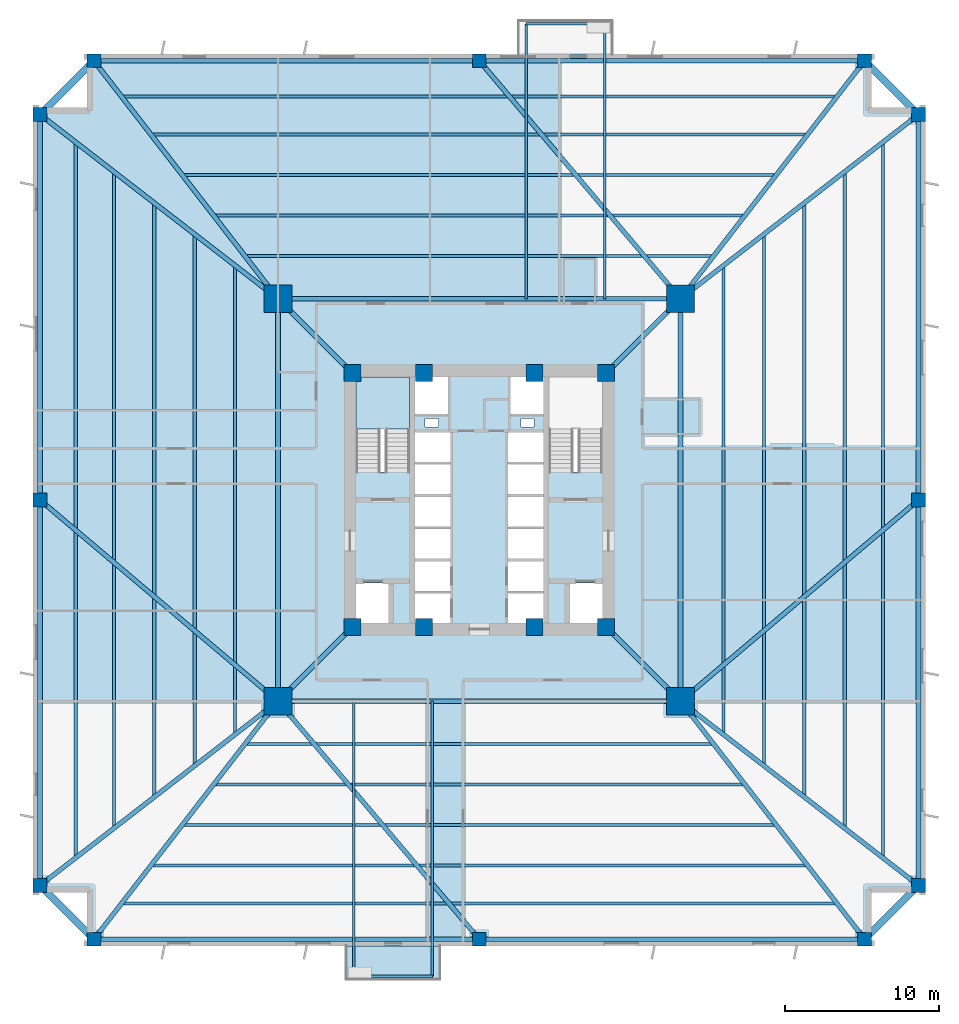
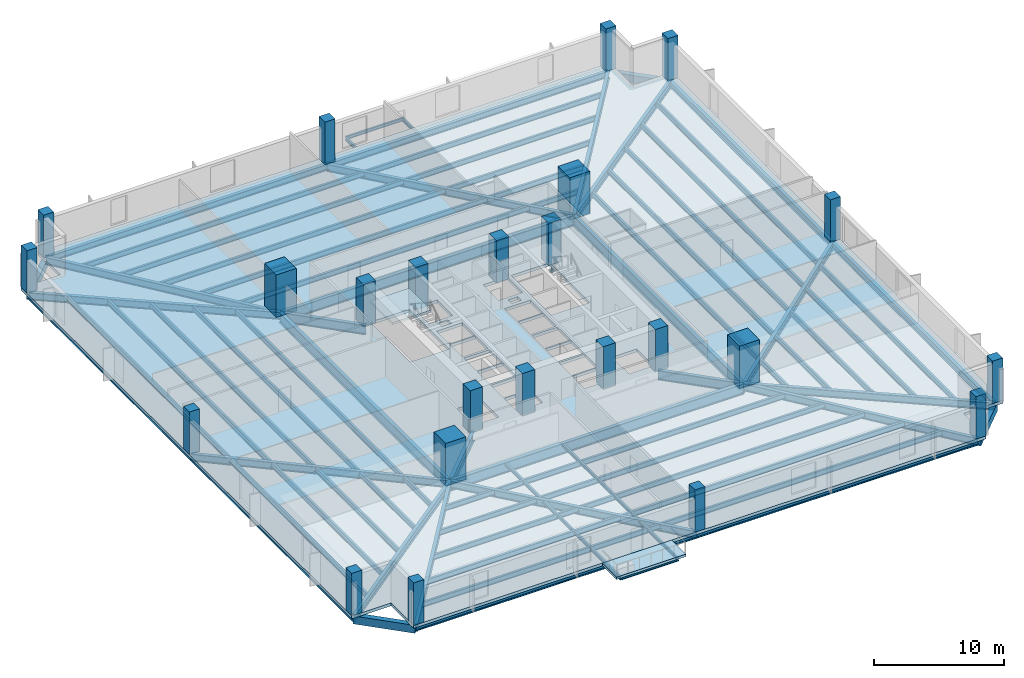
# One storey, part 1 of 8: 58 beams, 24 columns, 3 slabs, 1 element without a shape of its own.
"""IFC4 building model written with IfcOpenShell, lengths in metres."""

import ifcopenshell
import ifcopenshell.guid

model = None  # the IFC model being written
_history = None  # IfcOwnerHistory: only IFC2X3 demands one
_inside = {}  # id of a spatial element -> (the spatial element, [elements in it])
_under = {}  # id of a project, library or spatial element -> (it, [spatial elements below it])
_declared = {}  # id of a project -> (the project, [libraries it declares])
_typed = {}  # id of a type object -> (the type object, [elements of that type])
_made_of = {}  # id of a material, layer set ... -> (it, [elements and type objects made of it])


def new_model(schema):
    """Start an empty IFC model of exactly this schema.

    Asked for "IFC4X3", IfcOpenShell would pick the latest addendum, in which some entities
    have other attributes; the version numbers below select the first issue.
    IFC2X3 requires an IfcOwnerHistory on every rooted entity: one is made here for all.
    """
    global model, _history
    if schema == "IFC4X3":
        model = ifcopenshell.file(schema_version=(4, 3, 0, 0))
    else:
        model = ifcopenshell.file(schema=schema)
    _inside.clear()
    _under.clear()
    _declared.clear()
    _typed.clear()
    _made_of.clear()
    _history = None
    if model.schema == "IFC2X3":
        org = make("IfcOrganization", Name="unknown")
        user = make(
            "IfcPersonAndOrganization",
            ThePerson=make("IfcPerson", FamilyName="unknown"),
            TheOrganization=org,
        )
        app = make(
            "IfcApplication",
            ApplicationDeveloper=org,
            Version="unknown",
            ApplicationFullName="unknown",
            ApplicationIdentifier="unknown",
        )
        _history = make(
            "IfcOwnerHistory",
            OwningUser=user,
            OwningApplication=app,
            ChangeAction="ADDED",
            CreationDate=0,
        )
    return model


def make(cls, **values):
    """One entity of the class cls with the attributes given. An attribute that is None is left unset."""
    return model.create_entity(
        cls, **{name: value for name, value in values.items() if value is not None}
    )


def rooted(cls, **values):
    """An entity with a GlobalId (a new one), such as an element, a storey or a relation."""
    return make(cls, GlobalId=ifcopenshell.guid.new(), OwnerHistory=_history, **values)


def si_unit(unit_type, name, prefix=None):
    """IfcSIUnit, for example si_unit("LENGTHUNIT", "METRE", prefix="MILLI")."""
    return make("IfcSIUnit", UnitType=unit_type, Prefix=prefix, Name=name)


def assignment(units):
    """IfcUnitAssignment: the units of a project."""
    return None if units is None else make("IfcUnitAssignment", Units=units)


def point(xyz):
    """IfcCartesianPoint."""
    return None if xyz is None else make("IfcCartesianPoint", Coordinates=xyz)


def direction(xyz):
    """IfcDirection."""
    return None if xyz is None else make("IfcDirection", DirectionRatios=xyz)


def frame(location, z_axis=None, x_axis=None):
    """IfcAxis2Placement3D, a coordinate frame: its origin and axes. An axis left out is left unset."""
    return make(
        "IfcAxis2Placement3D",
        Location=point(location),
        Axis=direction(z_axis),
        RefDirection=direction(x_axis),
    )


def frame_2d(location, x_axis=None):
    """IfcAxis2Placement2D, a coordinate frame in the plane: its origin and x axis."""
    return make(
        "IfcAxis2Placement2D", Location=point(location), RefDirection=direction(x_axis)
    )


def origin():
    """The frame at (0, 0, 0) with its axes left unset."""
    return frame((0.0, 0.0, 0.0))


def origin_2d():
    """The frame at (0, 0) in the plane with its x axis left unset."""
    return frame_2d((0.0, 0.0))


def place(relative_to, where):
    """IfcLocalPlacement: puts the frame where relative to a parent placement (None: the world)."""
    return make(
        "IfcLocalPlacement", PlacementRelTo=relative_to, RelativePlacement=where
    )


def context(
    kind, dimensions, precision=None, world=None, true_north=None, identifier=None
):
    """IfcGeometricRepresentationContext, for example the 3D "Model" context."""
    return make(
        "IfcGeometricRepresentationContext",
        ContextIdentifier=identifier,
        ContextType=kind,
        CoordinateSpaceDimension=dimensions,
        Precision=precision,
        WorldCoordinateSystem=world,
        TrueNorth=true_north,
    )


def subcontext(parent, identifier, kind, view, scale=None):
    """IfcGeometricRepresentationSubContext, for example "Body" below "Model"."""
    return make(
        "IfcGeometricRepresentationSubContext",
        ContextIdentifier=identifier,
        ContextType=kind,
        ParentContext=parent,
        TargetScale=scale,
        TargetView=view,
    )


def project(units=None, contexts=None):
    """IfcProject with its units and contexts."""
    return rooted(
        "IfcProject",
        Name="project",
        RepresentationContexts=contexts,
        UnitsInContext=assignment(units),
    )


def spatial(cls, under=None, at=None, **own):
    """A site, building, storey or space (cls), placed at a placement, below another one or the project."""
    s = rooted(cls, ObjectPlacement=at, **own)
    if under is not None:
        _under.setdefault(under.id(), (under, []))[1].append(s)
    return s


def polyline(points):
    """IfcPolyline through the points."""
    return make("IfcPolyline", Points=[point(p) for p in points])


def profile(cls, at=None, kind="AREA", **sizes):
    """A parametric profile (cls). Its sizes go by their IFC names, for example OverallWidth=200.0."""
    return make(cls, ProfileType=kind, Position=at, **sizes)


def rectangle(**sizes):
    """IfcRectangleProfileDef."""
    return profile("IfcRectangleProfileDef", **sizes)


def i_section(**sizes):
    """IfcIShapeProfileDef."""
    return profile("IfcIShapeProfileDef", **sizes)


def outline(outer, holes=None, kind="AREA"):
    """IfcArbitraryClosedProfileDef: a profile drawn as a closed curve; with holes, ...WithVoids."""
    if holes is None:
        return make("IfcArbitraryClosedProfileDef", ProfileType=kind, OuterCurve=outer)
    return make(
        "IfcArbitraryProfileDefWithVoids",
        ProfileType=kind,
        OuterCurve=outer,
        InnerCurves=holes,
    )


def extrude(swept, where, along, depth):
    """IfcExtrudedAreaSolid: the profile swept, set in the frame where, extruded along a direction by depth."""
    return make(
        "IfcExtrudedAreaSolid",
        SweptArea=swept,
        Position=where,
        ExtrudedDirection=direction(along),
        Depth=depth,
    )


def shape(context_of_items, identifier, shape_type, items):
    """IfcShapeRepresentation: the items that make up one representation, for example the "Body"."""
    return make(
        "IfcShapeRepresentation",
        ContextOfItems=context_of_items,
        RepresentationIdentifier=identifier,
        RepresentationType=shape_type,
        Items=items,
    )


def source(mapping_origin, context_of_items, identifier, shape_type, items):
    """IfcRepresentationMap: a shape defined once, which mapped items show again and again."""
    return make(
        "IfcRepresentationMap",
        MappingOrigin=mapping_origin,
        MappedRepresentation=shape(context_of_items, identifier, shape_type, items),
    )


def transform(
    local_origin,
    x_axis=None,
    y_axis=None,
    z_axis=None,
    scale=None,
    scale2=None,
    scale3=None,
    uniform=True,
):
    """IfcCartesianTransformationOperator3D, or its non-uniform kind. x_axis, y_axis, z_axis: its Axis1, 2, 3."""
    if uniform:
        return make(
            "IfcCartesianTransformationOperator3D",
            Axis1=direction(x_axis),
            Axis2=direction(y_axis),
            LocalOrigin=point(local_origin),
            Scale=scale,
            Axis3=direction(z_axis),
        )
    return make(
        "IfcCartesianTransformationOperator3DnonUniform",
        Axis1=direction(x_axis),
        Axis2=direction(y_axis),
        LocalOrigin=point(local_origin),
        Scale=scale,
        Axis3=direction(z_axis),
        Scale2=scale2,
        Scale3=scale3,
    )


def mapped(mapping_source, mapping_target):
    """IfcMappedItem: shows the shape of a source again, moved by a transform."""
    return make(
        "IfcMappedItem", MappingSource=mapping_source, MappingTarget=mapping_target
    )


def material(Name=None, Category=None):
    """IfcMaterial."""
    return make("IfcMaterial", Name=Name, Category=Category)


def layer(
    of_material, thickness, ventilated=None, Name=None, Category=None, Priority=None
):
    """IfcMaterialLayer: one layer of a wall or slab, of a material (None: an air gap)."""
    return make(
        "IfcMaterialLayer",
        Material=of_material,
        LayerThickness=thickness,
        IsVentilated=ventilated,
        Name=Name,
        Category=Category,
        Priority=Priority,
    )


def layer_set(layers, Name=None):
    """IfcMaterialLayerSet."""
    return make("IfcMaterialLayerSet", MaterialLayers=layers, LayerSetName=Name)


def material_profile(
    of_material, cross_section, Name=None, Category=None, Priority=None
):
    """IfcMaterialProfile: a cross section and its material."""
    return make(
        "IfcMaterialProfile",
        Name=Name,
        Material=of_material,
        Profile=cross_section,
        Priority=Priority,
        Category=Category,
    )


def profile_set(profiles, Name=None, composite=None):
    """IfcMaterialProfileSet."""
    return make(
        "IfcMaterialProfileSet",
        Name=Name,
        MaterialProfiles=profiles,
        CompositeProfile=composite,
    )


def made_of(thing, what):
    """Note that an element or type object is made of a material, layer set ...; save() writes the relation."""
    if what is not None:
        _made_of.setdefault(what.id(), (what, []))[1].append(thing)
    return thing


def type_object(cls, material=None, **own):
    """A type object (cls), such as IfcWallType, which elements share."""
    return made_of(rooted(cls, **own), material)


def element(
    cls,
    number,
    at=None,
    inside=None,
    cuts=None,
    type_object=None,
    material=None,
    context=None,
    identifier="Body",
    shape_type=None,
    held_by="IfcProductDefinitionShape",
    body=None,
    shapes=None,
    **own,
):
    """One element of the class cls, such as IfcWall. Its Tag is "e" and its number.

    at: its placement. inside: the storey or other place that contains it. cuts: it is an
    opening in that element (IfcRelVoidsElement). A single representation is given by context,
    identifier, shape_type and body (its items); several are given by shapes. held_by: the class
    of the entity that holds the representations. save() writes the other relations.
    """
    e = rooted(cls, Tag="e%d" % number, ObjectPlacement=at, **own)
    if body is not None:
        shapes = [shape(context, identifier, shape_type, body)]
    if shapes is not None:
        e.Representation = make(held_by, Representations=shapes)
    if inside is not None:
        _inside.setdefault(inside.id(), (inside, []))[1].append(e)
    if cuts is not None:
        rooted(
            "IfcRelVoidsElement", RelatingBuildingElement=cuts, RelatedOpeningElement=e
        )
    if type_object is not None:
        _typed.setdefault(type_object.id(), (type_object, []))[1].append(e)
    return made_of(e, material)


def aggregate(whole, parts):
    """IfcRelAggregates: a whole, such as a stair, and the parts it consists of."""
    return rooted("IfcRelAggregates", RelatingObject=whole, RelatedObjects=parts)


def save(model, path):
    """Write the relations noted so far, then the file.

    IfcRelAggregates (storeys below a building ...), IfcRelContainedInSpatialStructure (elements
    in a storey), IfcRelDefinesByType, IfcRelAssociatesMaterial and IfcRelDeclares: one each for
    every whole, place, type object, material and project.
    """
    for whole, parts in _under.values():
        aggregate(whole, parts)
    for where, things in _inside.values():
        rooted(
            "IfcRelContainedInSpatialStructure",
            RelatedElements=things,
            RelatingStructure=where,
        )
    for kind, things in _typed.values():
        rooted("IfcRelDefinesByType", RelatedObjects=things, RelatingType=kind)
    for what, things in _made_of.values():
        rooted("IfcRelAssociatesMaterial", RelatedObjects=things, RelatingMaterial=what)
    for by, libraries in _declared.values():
        rooted("IfcRelDeclares", RelatingContext=by, RelatedDefinitions=libraries)
    model.write(path)


model = new_model("IFC4")

# Units and contexts
model_context = context("Model", 3, precision=1e-05, world=origin(), true_north=direction((0.0, 1.0)))
body_context = subcontext(model_context, "Body", "Model", "MODEL_VIEW")
ifc_project = project(units=[si_unit("LENGTHUNIT", "METRE"), si_unit("AREAUNIT", "SQUARE_METRE"), si_unit("VOLUMEUNIT", "CUBIC_METRE"), si_unit("PLANEANGLEUNIT", "RADIAN"), si_unit("MASSUNIT", "GRAM", prefix="KILO"), si_unit("THERMODYNAMICTEMPERATUREUNIT", "KELVIN")], contexts=[model_context])

# Site, building, storey
site_placement = place(None, origin())
site = spatial("IfcSite", under=ifc_project, at=site_placement, CompositionType="ELEMENT")
building_placement = place(site_placement, origin())
building = spatial("IfcBuilding", under=site, at=building_placement, Name="Kosmvard Interchange Tower", CompositionType="ELEMENT")
storey_placement = place(building_placement, frame((0.0, 0.0, 66.0)))
storey = spatial("IfcBuildingStorey", under=building, at=storey_placement, Name="L15", CompositionType="ELEMENT", Elevation=66.0)

# Columns
ifc_material_1 = material(Name="Concrete C80/95", Category="concrete")
ifc_material_profile_1 = material_profile(ifc_material_1, rectangle(XDim=1.10009765625, YDim=1.10009765625, at=origin_2d()), Name="CP 1100x1100")
ifc_profile_set_1 = profile_set([ifc_material_profile_1], Name="Concrete C80/95")
column_type_1 = type_object("IfcColumnType", Name="Core Boundary Pilaster 1100x1100 C80/95", PredefinedType="PILASTER", material=ifc_profile_set_1)
shared_shape_1 = source(origin(), body_context, "Body", "SweptSolid", [
    extrude(rectangle(XDim=1.10009765625, YDim=1.10009765625, at=origin_2d()), origin(), (0.0, 0.0, 1.0), 4.0),
])
for number, where, z_axis, x_axis, name in (
    (1, (-8.25, -8.25, 0.0), (0.0, 0.0, 1.0), (1.0, 0.0, 0.0), "L15 Core Pilaster CP1"),
    (2, (8.25, -8.25, 0.0), (0.0, 0.0, 1.0), (1.0, 0.0, 0.0), "L15 Core Pilaster CP2"),
    (3, (8.25, 8.25, 0.0), (0.0, 0.0, 1.0), (1.0, 0.0, 0.0), "L15 Core Pilaster CP3"),
    (4, (-8.25, 8.25, 0.0), (0.0, 0.0, 1.0), (1.0, 0.0, 0.0), "L15 Core Pilaster CP4"),
    (5, (-3.60009765625, -8.25, 0.0), (0.0, 0.0, 1.0), (1.0, 0.0, 0.0), "L15 Core Pilaster CP5"),
    (6, (3.60009765625, -8.25, 0.0), (0.0, 0.0, 1.0), (1.0, 0.0, 0.0), "L15 Core Pilaster CP6"),
    (7, (-3.60009765625, 8.25, 0.0), (0.0, 0.0, 1.0), (1.0, 0.0, 0.0), "L15 Core Pilaster CP7"),
    (8, (3.60009765625, 8.25, 0.0), (0.0, 0.0, 1.0), (1.0, 0.0, 0.0), "L15 Core Pilaster CP8"),
):
    element("IfcColumn", number, at=place(storey_placement, frame(where, z_axis=z_axis, x_axis=x_axis)), inside=storey, type_object=column_type_1, Name=name, PredefinedType="PILASTER", context=body_context, shape_type="MappedRepresentation", body=[
        mapped(shared_shape_1, transform((0.0, 0.0, 0.0), scale=1.0)),
    ])
ifc_material_profile_2 = material_profile(ifc_material_1, rectangle(XDim=1.800048828125, YDim=1.800048828125, at=origin_2d()), Name="MC 1800x1800")
ifc_profile_set_2 = profile_set([ifc_material_profile_2], Name="Concrete C80/95")
column_type_2 = type_object("IfcColumnType", Name="Composite Mega-Column 1800x1800 C80/95", PredefinedType="COLUMN", material=ifc_profile_set_2)
shared_shape_2 = source(origin(), body_context, "Body", "SweptSolid", [
    extrude(rectangle(XDim=1.800048828125, YDim=1.800048828125, at=origin_2d()), origin(), (0.0, 0.0, 1.0), 4.0),
])
for number, where, z_axis, x_axis, name in (
    (9, (-13.0810546875, -13.0810546875, 0.0), (0.0, 0.0, 1.0), (1.0, 0.0, 0.0), "L15 Corner Mega-Column MC1"),
    (10, (13.0810546875, -13.0810546875, 0.0), (0.0, 0.0, 1.0), (1.0, 0.0, 0.0), "L15 Corner Mega-Column MC2"),
    (11, (13.0810546875, 13.0810546875, 0.0), (0.0, 0.0, 1.0), (1.0, 0.0, 0.0), "L15 Corner Mega-Column MC3"),
    (12, (-13.0810546875, 13.0810546875, 0.0), (0.0, 0.0, 1.0), (1.0, 0.0, 0.0), "L15 Corner Mega-Column MC4"),
):
    element("IfcColumn", number, at=place(storey_placement, frame(where, z_axis=z_axis, x_axis=x_axis)), inside=storey, type_object=column_type_2, Name=name, PredefinedType="COLUMN", context=body_context, shape_type="MappedRepresentation", body=[
        mapped(shared_shape_2, transform((0.0, 0.0, 0.0), scale=1.0)),
    ])
ifc_material_2 = material(Name="Concrete C60/75", Category="concrete")
ifc_material_profile_3 = material_profile(ifc_material_2, rectangle(XDim=0.89990234375, YDim=0.89990234375, at=origin_2d()), Name="TC 900x900")
ifc_profile_set_3 = profile_set([ifc_material_profile_3], Name="Concrete C60/75")
column_type_3 = type_object("IfcColumnType", Name="Zone 1 Perimeter Pier Column 900x900 C60/75", PredefinedType="COLUMN", material=ifc_profile_set_3)
shared_shape_3 = source(origin(), body_context, "Body", "SweptSolid", [
    extrude(rectangle(XDim=0.89990234375, YDim=0.89990234375, at=origin_2d()), origin(), (0.0, 0.0, 1.0), 4.0),
])
for number, where, z_axis, x_axis, name in (
    (13, (-25.050048828125, -28.550048828125, 0.0), (0.0, 0.0, 1.0), (1.0, 0.0, 0.0), "L15 Perimeter Pier Column TC-S1"),
    (14, (0.0, -28.550048828125, 0.0), (0.0, 0.0, 1.0), (1.0, 0.0, 0.0), "L15 Perimeter Pier Column TC-S2"),
    (15, (25.050048828125, -28.550048828125, 0.0), (0.0, 0.0, 1.0), (1.0, 0.0, 0.0), "L15 Perimeter Pier Column TC-S3"),
    (16, (28.550048828125, -25.050048828125, 0.0), (0.0, 0.0, 1.0), (1.0, 0.0, 0.0), "L15 Perimeter Pier Column TC-E1"),
    (17, (28.550048828125, 0.0, 0.0), (0.0, 0.0, 1.0), (1.0, 0.0, 0.0), "L15 Perimeter Pier Column TC-E2"),
    (18, (28.550048828125, 25.050048828125, 0.0), (0.0, 0.0, 1.0), (1.0, 0.0, 0.0), "L15 Perimeter Pier Column TC-E3"),
    (19, (25.050048828125, 28.550048828125, 0.0), (0.0, 0.0, 1.0), (1.0, 0.0, 0.0), "L15 Perimeter Pier Column TC-N1"),
    (20, (0.0, 28.550048828125, 0.0), (0.0, 0.0, 1.0), (1.0, 0.0, 0.0), "L15 Perimeter Pier Column TC-N2"),
    (21, (-25.050048828125, 28.550048828125, 0.0), (0.0, 0.0, 1.0), (1.0, 0.0, 0.0), "L15 Perimeter Pier Column TC-N3"),
    (22, (-28.550048828125, 25.050048828125, 0.0), (0.0, 0.0, 1.0), (1.0, 0.0, 0.0), "L15 Perimeter Pier Column TC-W1"),
    (23, (-28.550048828125, 0.0, 0.0), (0.0, 0.0, 1.0), (1.0, 0.0, 0.0), "L15 Perimeter Pier Column TC-W2"),
    (24, (-28.550048828125, -25.050048828125, 0.0), (0.0, 0.0, 1.0), (1.0, 0.0, 0.0), "L15 Perimeter Pier Column TC-W3"),
):
    element("IfcColumn", number, at=place(storey_placement, frame(where, z_axis=z_axis, x_axis=x_axis)), inside=storey, type_object=column_type_3, Name=name, PredefinedType="COLUMN", context=body_context, shape_type="MappedRepresentation", body=[
        mapped(shared_shape_3, transform((0.0, 0.0, 0.0), scale=1.0)),
    ])

# Beams
ifc_material_3 = material(Name="Steel S460", Category="steel")
ifc_material_profile_4 = material_profile(ifc_material_3, i_section(OverallWidth=0.30810546875, OverallDepth=0.909912109375, WebThickness=0.02099609375, FlangeThickness=0.0400390625, FilletRadius=0.027099609375, at=origin_2d()), Name="HEM 900")
ifc_profile_set_4 = profile_set([ifc_material_profile_4], Name="Steel S460")
beam_type_1 = type_object("IfcBeamType", Name="Primary Mega-Frame Girder HEM 900 S460", PredefinedType="BEAM", material=ifc_profile_set_4)
shared_shape_4 = source(origin(), body_context, "Body", "SweptSolid", [
    extrude(i_section(OverallWidth=0.30810546875, OverallDepth=0.909912109375, WebThickness=0.02099609375, FlangeThickness=0.0400390625, FilletRadius=0.027099609375, at=origin_2d()), origin(), (0.0, 0.0, 1.0), 6.83203125),
])
for number, where, z_axis, x_axis, name in (
    (25, (-8.25, -8.25, -0.735107421875), (-0.707106781187, -0.707106781187, 0.0), (0.707106781187, -0.707106781187, 0.0), "L15 Radial Mega-Frame Girder 1"),
    (26, (8.25, -8.25, -0.735107421875), (0.707106781187, -0.707106781187, 0.0), (0.707106781187, 0.707106781187, 0.0), "L15 Radial Mega-Frame Girder 2"),
    (27, (8.25, 8.25, -0.735107421875), (0.707106781187, 0.707106781187, 0.0), (-0.707106781187, 0.707106781187, 0.0), "L15 Radial Mega-Frame Girder 3"),
    (28, (-8.25, 8.25, -0.735107421875), (-0.707106781187, 0.707106781187, 0.0), (-0.707106781187, -0.707106781187, 0.0), "L15 Radial Mega-Frame Girder 4"),
):
    element("IfcBeam", number, at=place(storey_placement, frame(where, z_axis=z_axis, x_axis=x_axis)), inside=storey, type_object=beam_type_1, Name=name, PredefinedType="BEAM", context=body_context, shape_type="MappedRepresentation", body=[
        mapped(shared_shape_4, transform((0.0, 0.0, 0.0), scale=1.0)),
    ])
ifc_material_profile_5 = material_profile(ifc_material_3, i_section(OverallWidth=0.30908203125, OverallDepth=1.008056640625, WebThickness=0.02099609375, FlangeThickness=0.0400390625, FilletRadius=0.030029296875, at=origin_2d()), Name="HEM 1000")
ifc_profile_set_5 = profile_set([ifc_material_profile_5], Name="Steel S460")
beam_type_2 = type_object("IfcBeamType", Name="Mega-Column Ring Girder HEM 1000 S460", PredefinedType="BEAM", material=ifc_profile_set_5)
shared_shape_5 = source(origin(), body_context, "Body", "SweptSolid", [
    extrude(i_section(OverallWidth=0.30908203125, OverallDepth=1.008056640625, WebThickness=0.02099609375, FlangeThickness=0.0400390625, FilletRadius=0.030029296875, at=origin_2d()), origin(), (0.0, 0.0, 1.0), 26.162109375),
])
for number, where, z_axis, x_axis, name in (
    (29, (-13.0810546875, -13.0810546875, -0.783935546875), (1.0, 0.0, 0.0), (0.0, 1.0, 0.0), "L15 Mega-Column Ring Girder 1"),
    (30, (13.0810546875, -13.0810546875, -0.783935546875), (0.0, 1.0, 0.0), (-1.0, 0.0, 0.0), "L15 Mega-Column Ring Girder 2"),
    (31, (13.0810546875, 13.0810546875, -0.783935546875), (-1.0, 0.0, 0.0), (0.0, -1.0, 0.0), "L15 Mega-Column Ring Girder 3"),
    (32, (-13.0810546875, 13.0810546875, -0.783935546875), (0.0, -1.0, 0.0), (1.0, 0.0, 0.0), "L15 Mega-Column Ring Girder 4"),
):
    element("IfcBeam", number, at=place(storey_placement, frame(where, z_axis=z_axis, x_axis=x_axis)), inside=storey, type_object=beam_type_2, Name=name, PredefinedType="BEAM", context=body_context, shape_type="MappedRepresentation", body=[
        mapped(shared_shape_5, transform((0.0, 0.0, 0.0), scale=1.0)),
    ])
ifc_material_4 = material(Name="Steel S355", Category="steel")
ifc_material_profile_6 = material_profile(ifc_material_4, i_section(OverallWidth=0.159912109375, OverallDepth=0.330078125, WebThickness=0.007568359375, FlangeThickness=0.011474609375, FilletRadius=0.01806640625, at=origin_2d()), Name="IPE 330")
ifc_profile_set_6 = profile_set([ifc_material_profile_6], Name="Steel S355")
beam_type_3 = type_object("IfcBeamType", Name="Balcony Cantilever Joist IPE 330 S355", PredefinedType="JOIST", material=ifc_profile_set_6)
shared_shape_6 = source(origin(), body_context, "Body", "SweptSolid", [
    extrude(i_section(OverallWidth=0.159912109375, OverallDepth=0.330078125, WebThickness=0.007568359375, FlangeThickness=0.011474609375, FilletRadius=0.01806640625, at=origin_2d()), origin(), (0.0, 0.0, 1.0), 17.868896484375),
])
for number, where, z_axis, x_axis, name in (
    (33, (8.14990234375, 13.0810546875, -0.445068359375), (0.0, 1.0, 0.0), (-1.0, 0.0, 0.0), "BM-L15-BJ1"),
    (34, (3.050048828125, 13.0810546875, -0.445068359375), (0.0, 1.0, 0.0), (-1.0, 0.0, 0.0), "BM-L15-BJB1"),
    (35, (-8.14990234375, -13.0810546875, -0.445068359375), (0.0, -1.0, 0.0), (1.0, 0.0, 0.0), "BM-L15-BJ2"),
    (36, (-3.050048828125, -13.0810546875, -0.445068359375), (0.0, -1.0, 0.0), (1.0, 0.0, 0.0), "BM-L15-BJB2"),
):
    element("IfcBeam", number, at=place(storey_placement, frame(where, z_axis=z_axis, x_axis=x_axis)), inside=storey, type_object=beam_type_3, Name=name, PredefinedType="JOIST", context=body_context, shape_type="MappedRepresentation", body=[
        mapped(shared_shape_6, transform((0.0, 0.0, 0.0), scale=1.0)),
    ])
ifc_material_profile_7 = material_profile(ifc_material_4, i_section(OverallWidth=0.14990234375, OverallDepth=0.300048828125, WebThickness=0.007080078125, FlangeThickness=0.0107421875, FilletRadius=0.014892578125, at=origin_2d()), Name="IPE 300")
ifc_profile_set_7 = profile_set([ifc_material_profile_7], Name="Steel S355")
beam_type_4 = type_object("IfcBeamType", Name="Balcony Edge Header Joist IPE 300 S355", PredefinedType="JOIST", material=ifc_profile_set_7)
shared_shape_7 = source(origin(), body_context, "Body", "SweptSolid", [
    extrude(i_section(OverallWidth=0.14990234375, OverallDepth=0.300048828125, WebThickness=0.007080078125, FlangeThickness=0.0107421875, FilletRadius=0.014892578125, at=origin_2d()), origin(), (0.0, 0.0, 1.0), 5.099853515625),
])
for number, where, z_axis, x_axis, name in (
    (37, (8.14990234375, 30.949951171875, -0.429931640625), (-1.0, 0.0, 0.0), (0.0, -1.0, 0.0), "BM-L15-BJH1"),
    (38, (-8.14990234375, -30.949951171875, -0.429931640625), (1.0, 0.0, 0.0), (0.0, 1.0, 0.0), "BM-L15-BJH2"),
):
    element("IfcBeam", number, at=place(storey_placement, frame(where, z_axis=z_axis, x_axis=x_axis)), inside=storey, type_object=beam_type_4, Name=name, PredefinedType="JOIST", context=body_context, shape_type="MappedRepresentation", body=[
        mapped(shared_shape_7, transform((0.0, 0.0, 0.0), scale=1.0)),
    ])
ifc_material_profile_8 = material_profile(ifc_material_4, i_section(OverallWidth=0.300048828125, OverallDepth=0.60009765625, WebThickness=0.015380859375, FlangeThickness=0.030029296875, FilletRadius=0.027099609375, at=origin_2d()), Name="HEB 600")
ifc_profile_set_8 = profile_set([ifc_material_profile_8], Name="Steel S355")
beam_type_5 = type_object("IfcBeamType", Name="Perimeter Tie Girder HEB 600 S355", PredefinedType="BEAM", material=ifc_profile_set_8)
shared_shape_8 = source(origin(), body_context, "Body", "SweptSolid", [
    extrude(i_section(OverallWidth=0.300048828125, OverallDepth=0.60009765625, WebThickness=0.015380859375, FlangeThickness=0.030029296875, FilletRadius=0.027099609375, at=origin_2d()), origin(), (0.0, 0.0, 1.0), 25.050048828125),
])
for number, where, z_axis, x_axis, name in (
    (39, (-25.050048828125, -28.550048828125, -0.580078125), (1.0, 0.0, 0.0), (0.0, 1.0, 0.0), "BM-L15-PR01"),
    (40, (0.0, -28.550048828125, -0.580078125), (1.0, 0.0, 0.0), (0.0, 1.0, 0.0), "BM-L15-PR02"),
    (41, (28.550048828125, -25.050048828125, -0.580078125), (0.0, 1.0, 0.0), (-1.0, 0.0, 0.0), "BM-L15-PR04"),
    (42, (28.550048828125, 0.0, -0.580078125), (0.0, 1.0, 0.0), (-1.0, 0.0, 0.0), "BM-L15-PR05"),
    (43, (25.050048828125, 28.550048828125, -0.580078125), (-1.0, 0.0, 0.0), (0.0, -1.0, 0.0), "BM-L15-PR07"),
    (44, (0.0, 28.550048828125, -0.580078125), (-1.0, 0.0, 0.0), (0.0, -1.0, 0.0), "BM-L15-PR08"),
    (45, (-28.550048828125, 25.050048828125, -0.580078125), (0.0, -1.0, 0.0), (1.0, 0.0, 0.0), "BM-L15-PR10"),
    (46, (-28.550048828125, 0.0, -0.580078125), (0.0, -1.0, 0.0), (1.0, 0.0, 0.0), "BM-L15-PR11"),
):
    element("IfcBeam", number, at=place(storey_placement, frame(where, z_axis=z_axis, x_axis=x_axis)), inside=storey, type_object=beam_type_5, Name=name, PredefinedType="BEAM", context=body_context, shape_type="MappedRepresentation", body=[
        mapped(shared_shape_8, transform((0.0, 0.0, 0.0), scale=1.0)),
    ])
ifc_material_profile_9 = material_profile(ifc_material_4, i_section(OverallWidth=0.300048828125, OverallDepth=0.699951171875, WebThickness=0.01708984375, FlangeThickness=0.031982421875, FilletRadius=0.027099609375, at=origin_2d()), Name="HEB 700")
ifc_profile_set_9 = profile_set([ifc_material_profile_9], Name="Steel S355")
beam_type_6 = type_object("IfcBeamType", Name="Primary Floor Girder HEB 700 S355", PredefinedType="BEAM", material=ifc_profile_set_9)
shared_shape_9 = source(origin(), body_context, "Body", "SweptSolid", [
    extrude(i_section(OverallWidth=0.300048828125, OverallDepth=0.699951171875, WebThickness=0.01708984375, FlangeThickness=0.031982421875, FilletRadius=0.027099609375, at=origin_2d()), origin(), (0.0, 0.0, 1.0), 19.558837890625),
])
for number, where, z_axis, x_axis, name in (
    (47, (-13.0810546875, -13.0810546875, -0.6298828125), (-0.611949354357, -0.79089695138, 0.0), (0.79089695138, -0.611949354357, 0.0), "BM-L15-RD01"),
    (48, (13.0810546875, -13.0810546875, -0.6298828125), (0.611949354357, -0.79089695138, 0.0), (0.79089695138, 0.611949354357, 0.0), "BM-L15-RD03"),
    (49, (13.0810546875, -13.0810546875, -0.6298828125), (0.79089695138, -0.611949354357, 0.0), (0.611949354357, 0.79089695138, 0.0), "BM-L15-RD04"),
    (50, (13.0810546875, 13.0810546875, -0.6298828125), (0.79089695138, 0.611949354357, 0.0), (-0.611949354357, 0.79089695138, 0.0), "BM-L15-RD06"),
    (51, (13.0810546875, 13.0810546875, -0.6298828125), (0.611949354357, 0.79089695138, 0.0), (-0.79089695138, 0.611949354357, 0.0), "BM-L15-RD07"),
    (52, (-13.0810546875, 13.0810546875, -0.6298828125), (-0.611949354357, 0.79089695138, 0.0), (-0.79089695138, -0.611949354357, 0.0), "BM-L15-RD09"),
    (53, (-13.0810546875, 13.0810546875, -0.6298828125), (-0.79089695138, 0.611949354357, 0.0), (-0.611949354357, -0.79089695138, 0.0), "BM-L15-RD10"),
    (54, (-13.0810546875, -13.0810546875, -0.6298828125), (-0.79089695138, -0.611949354357, 0.0), (0.611949354357, -0.79089695138, 0.0), "BM-L15-RD12"),
):
    element("IfcBeam", number, at=place(storey_placement, frame(where, z_axis=z_axis, x_axis=x_axis)), inside=storey, type_object=beam_type_6, Name=name, PredefinedType="BEAM", context=body_context, shape_type="MappedRepresentation", body=[
        mapped(shared_shape_9, transform((0.0, 0.0, 0.0), scale=1.0)),
    ])
shared_shape_10 = source(origin(), body_context, "Body", "SweptSolid", [
    extrude(i_section(OverallWidth=0.300048828125, OverallDepth=0.699951171875, WebThickness=0.01708984375, FlangeThickness=0.031982421875, FilletRadius=0.027099609375, at=origin_2d()), origin(), (0.0, 0.0, 1.0), 20.258544921875),
])
for number, where, z_axis, x_axis, name in (
    (55, (-13.0810546875, -13.0810546875, -0.6298828125), (0.645709371734, -0.763583268056, 0.0), (0.763583268056, 0.645709371734, 0.0), "BM-L15-RD02"),
    (56, (13.0810546875, -13.0810546875, -0.6298828125), (0.763583268056, 0.645709371734, 0.0), (-0.645709371734, 0.763583268056, 0.0), "BM-L15-RD05"),
    (57, (13.0810546875, 13.0810546875, -0.6298828125), (-0.645709371734, 0.763583268056, 0.0), (-0.763583268056, -0.645709371734, 0.0), "BM-L15-RD08"),
    (58, (-13.0810546875, -13.0810546875, -0.6298828125), (-0.763583268056, 0.645709371734, 0.0), (-0.645709371734, -0.763583268056, 0.0), "BM-L15-RD11"),
):
    element("IfcBeam", number, at=place(storey_placement, frame(where, z_axis=z_axis, x_axis=x_axis)), inside=storey, type_object=beam_type_6, Name=name, PredefinedType="BEAM", context=body_context, shape_type="MappedRepresentation", body=[
        mapped(shared_shape_10, transform((0.0, 0.0, 0.0), scale=1.0)),
    ])
ifc_material_5 = material(Name="Precast concrete C45/55", Category="concrete")
ifc_material_profile_10 = material_profile(ifc_material_5, rectangle(XDim=0.449951171875, YDim=0.75, at=origin_2d()), Name="SL 450x750")
ifc_profile_set_10 = profile_set([ifc_material_profile_10], Name="Precast concrete C45/55")
beam_type_7 = type_object("IfcBeamType", Name="Precast Spandrel Lintel 450x750 C45/55", PredefinedType="LINTEL", material=ifc_profile_set_10)
shared_shape_11 = source(origin(), body_context, "Body", "SweptSolid", [
    extrude(rectangle(XDim=0.449951171875, YDim=0.75, at=origin_2d()), origin(), (0.0, 0.0, 1.0), 4.94970703125),
])
for number, where, z_axis, x_axis, name in (
    (59, (25.050048828125, -28.550048828125, -0.655029296875), (0.707106781187, 0.707106781187, 0.0), (-0.707106781187, 0.707106781187, 0.0), "BM-L15-SL1"),
    (60, (28.550048828125, 25.050048828125, -0.655029296875), (-0.707106781187, 0.707106781187, 0.0), (-0.707106781187, -0.707106781187, 0.0), "BM-L15-SL2"),
    (61, (-25.050048828125, 28.550048828125, -0.655029296875), (-0.707106781187, -0.707106781187, 0.0), (0.707106781187, -0.707106781187, 0.0), "BM-L15-SL3"),
    (62, (-28.550048828125, -25.050048828125, -0.655029296875), (0.707106781187, -0.707106781187, 0.0), (0.707106781187, 0.707106781187, 0.0), "BM-L15-SL4"),
):
    element("IfcBeam", number, at=place(storey_placement, frame(where, z_axis=z_axis, x_axis=x_axis)), inside=storey, type_object=beam_type_7, Name=name, PredefinedType="LINTEL", context=body_context, shape_type="MappedRepresentation", body=[
        mapped(shared_shape_11, transform((0.0, 0.0, 0.0), scale=1.0)),
    ])
ifc_material_profile_11 = material_profile(ifc_material_4, i_section(OverallWidth=0.199951171875, OverallDepth=0.5, WebThickness=0.01025390625, FlangeThickness=0.01611328125, FilletRadius=0.02099609375, at=origin_2d()), Name="IPE 500")
ifc_profile_set_11 = profile_set([ifc_material_profile_11], Name="Steel S355")
beam_type_8 = type_object("IfcBeamType", Name="Standard Floor Joist IPE 500 S355", PredefinedType="JOIST", material=ifc_profile_set_11)
shared_shape_12 = source(origin(), body_context, "Body", "SweptSolid", [
    extrude(i_section(OverallWidth=0.199951171875, OverallDepth=0.5, WebThickness=0.01025390625, FlangeThickness=0.01611328125, FilletRadius=0.02099609375, at=origin_2d()), origin(), (0.0, 0.0, 1.0), 30.31103515625),
])
for number, where, z_axis, x_axis, name in (
    (63, (-15.155517578125, -15.865478515625, -0.530029296875), (1.0, 0.0, 0.0), (0.0, 1.0, 0.0), "BM-L15-FJ01"),
    (64, (15.865478515625, -15.155517578125, -0.530029296875), (0.0, 1.0, 0.0), (-1.0, 0.0, 0.0), "BM-L15-FJ06"),
    (65, (15.155517578125, 15.865478515625, -0.530029296875), (-1.0, 0.0, 0.0), (0.0, -1.0, 0.0), "BM-L15-FJ11"),
    (66, (-15.865478515625, 15.155517578125, -0.530029296875), (0.0, -1.0, 0.0), (1.0, 0.0, 0.0), "BM-L15-FJ16"),
):
    element("IfcBeam", number, at=place(storey_placement, frame(where, z_axis=z_axis, x_axis=x_axis)), inside=storey, type_object=beam_type_8, Name=name, PredefinedType="JOIST", context=body_context, shape_type="MappedRepresentation", body=[
        mapped(shared_shape_12, transform((0.0, 0.0, 0.0), scale=1.0)),
    ])
shared_shape_13 = source(origin(), body_context, "Body", "SweptSolid", [
    extrude(i_section(OverallWidth=0.199951171875, OverallDepth=0.5, WebThickness=0.01025390625, FlangeThickness=0.01611328125, FilletRadius=0.02099609375, at=origin_2d()), origin(), (0.0, 0.0, 1.0), 34.38037109375),
])
for number, where, z_axis, x_axis, name in (
    (67, (-17.190185546875, -18.4951171875, -0.530029296875), (1.0, 0.0, 0.0), (0.0, 1.0, 0.0), "BM-L15-FJ02"),
    (68, (18.4951171875, -17.190185546875, -0.530029296875), (0.0, 1.0, 0.0), (-1.0, 0.0, 0.0), "BM-L15-FJ07"),
    (69, (17.190185546875, 18.4951171875, -0.530029296875), (-1.0, 0.0, 0.0), (0.0, -1.0, 0.0), "BM-L15-FJ12"),
    (70, (-18.4951171875, 17.190185546875, -0.530029296875), (0.0, -1.0, 0.0), (1.0, 0.0, 0.0), "BM-L15-FJ17"),
):
    element("IfcBeam", number, at=place(storey_placement, frame(where, z_axis=z_axis, x_axis=x_axis)), inside=storey, type_object=beam_type_8, Name=name, PredefinedType="JOIST", context=body_context, shape_type="MappedRepresentation", body=[
        mapped(shared_shape_13, transform((0.0, 0.0, 0.0), scale=1.0)),
    ])
shared_shape_14 = source(origin(), body_context, "Body", "SweptSolid", [
    extrude(i_section(OverallWidth=0.199951171875, OverallDepth=0.5, WebThickness=0.01025390625, FlangeThickness=0.01611328125, FilletRadius=0.02099609375, at=origin_2d()), origin(), (0.0, 0.0, 1.0), 38.44970703125),
])
for number, where, z_axis, x_axis, name in (
    (71, (-19.224853515625, -21.125, -0.530029296875), (1.0, 0.0, 0.0), (0.0, 1.0, 0.0), "BM-L15-FJ03"),
    (72, (21.125, -19.224853515625, -0.530029296875), (0.0, 1.0, 0.0), (-1.0, 0.0, 0.0), "BM-L15-FJ08"),
    (73, (19.224853515625, 21.125, -0.530029296875), (-1.0, 0.0, 0.0), (0.0, -1.0, 0.0), "BM-L15-FJ13"),
    (74, (-21.125, 19.224853515625, -0.530029296875), (0.0, -1.0, 0.0), (1.0, 0.0, 0.0), "BM-L15-FJ18"),
):
    element("IfcBeam", number, at=place(storey_placement, frame(where, z_axis=z_axis, x_axis=x_axis)), inside=storey, type_object=beam_type_8, Name=name, PredefinedType="JOIST", context=body_context, shape_type="MappedRepresentation", body=[
        mapped(shared_shape_14, transform((0.0, 0.0, 0.0), scale=1.0)),
    ])
shared_shape_15 = source(origin(), body_context, "Body", "SweptSolid", [
    extrude(i_section(OverallWidth=0.199951171875, OverallDepth=0.5, WebThickness=0.01025390625, FlangeThickness=0.01611328125, FilletRadius=0.02099609375, at=origin_2d()), origin(), (0.0, 0.0, 1.0), 42.51904296875),
])
for number, where, z_axis, x_axis, name in (
    (75, (-21.259521484375, -23.754638671875, -0.530029296875), (1.0, 0.0, 0.0), (0.0, 1.0, 0.0), "BM-L15-FJ04"),
    (76, (23.754638671875, -21.259521484375, -0.530029296875), (0.0, 1.0, 0.0), (-1.0, 0.0, 0.0), "BM-L15-FJ09"),
    (77, (21.259521484375, 23.754638671875, -0.530029296875), (-1.0, 0.0, 0.0), (0.0, -1.0, 0.0), "BM-L15-FJ14"),
    (78, (-23.754638671875, 21.259521484375, -0.530029296875), (0.0, -1.0, 0.0), (1.0, 0.0, 0.0), "BM-L15-FJ19"),
):
    element("IfcBeam", number, at=place(storey_placement, frame(where, z_axis=z_axis, x_axis=x_axis)), inside=storey, type_object=beam_type_8, Name=name, PredefinedType="JOIST", context=body_context, shape_type="MappedRepresentation", body=[
        mapped(shared_shape_15, transform((0.0, 0.0, 0.0), scale=1.0)),
    ])
shared_shape_16 = source(origin(), body_context, "Body", "SweptSolid", [
    extrude(i_section(OverallWidth=0.199951171875, OverallDepth=0.5, WebThickness=0.01025390625, FlangeThickness=0.01611328125, FilletRadius=0.02099609375, at=origin_2d()), origin(), (0.0, 0.0, 1.0), 46.34912109375),
])
for number, where, z_axis, x_axis, name in (
    (79, (-23.174560546875, -26.229736328125, -0.530029296875), (1.0, 0.0, 0.0), (0.0, 1.0, 0.0), "BM-L15-FJ05"),
    (80, (26.229736328125, -23.174560546875, -0.530029296875), (0.0, 1.0, 0.0), (-1.0, 0.0, 0.0), "BM-L15-FJ10"),
    (81, (23.174560546875, 26.229736328125, -0.530029296875), (-1.0, 0.0, 0.0), (0.0, -1.0, 0.0), "BM-L15-FJ15"),
    (82, (-26.229736328125, 23.174560546875, -0.530029296875), (0.0, -1.0, 0.0), (1.0, 0.0, 0.0), "BM-L15-FJ20"),
):
    element("IfcBeam", number, at=place(storey_placement, frame(where, z_axis=z_axis, x_axis=x_axis)), inside=storey, type_object=beam_type_8, Name=name, PredefinedType="JOIST", context=body_context, shape_type="MappedRepresentation", body=[
        mapped(shared_shape_16, transform((0.0, 0.0, 0.0), scale=1.0)),
    ])

# Slab
ifc_material_6 = material(Name="Concrete C50/60", Category="concrete")
ifc_layer_1 = layer(ifc_material_6, 0.280029296875, Name="Concrete C50/60")
ifc_layer_set_1 = layer_set([ifc_layer_1], Name="Concrete C50/60")
slab_type_1 = type_object("IfcSlabType", Name="Low-Rise Office Composite Slab 280 C50/60", PredefinedType="FLOOR", material=ifc_layer_set_1)
slab_1_placement = place(storey_placement, frame((0.0, 0.0, -0.280029296875)))
element("IfcSlab", 83, at=slab_1_placement, inside=storey, type_object=slab_type_1, Name="L15 Structural Floor Slab", PredefinedType="FLOOR", context=body_context, shape_type="SweptSolid", body=[
    extrude(outline(polyline([(-25.5, -29.0), (25.5, -29.0), (25.5, -25.5), (29.0, -25.5), (29.0, 25.5), (25.5, 25.5), (25.5, 29.0), (-25.5, 29.0), (-25.5, 25.5), (-29.0, 25.5), (-29.0, -25.5), (-25.5, -25.5), (-25.5, -29.0)]), holes=[polyline([(-8.0, 1.8349609375), (-4.5400390625, 1.8349609375), (-4.5400390625, 8.0), (-8.0, 8.0), (-8.0, 1.8349609375)]), polyline([(4.5400390625, 1.8349609375), (8.0, 1.8349609375), (8.0, 8.0), (4.5400390625, 8.0), (4.5400390625, 1.8349609375)]), polyline([(-8.0, -8.0), (-5.800048828125, -8.0), (-5.800048828125, -5.39990234375), (-8.0, -5.39990234375), (-8.0, -8.0)]), polyline([(5.800048828125, -8.0), (8.0, -8.0), (8.0, -5.39990234375), (5.800048828125, -5.39990234375), (5.800048828125, -8.0)]), polyline([(-4.179931640625, -8.0), (-1.8798828125, -8.0), (-1.8798828125, -6.06005859375), (-4.179931640625, -6.06005859375), (-4.179931640625, -8.0)]), polyline([(-4.179931640625, -5.93994140625), (-1.8798828125, -5.93994140625), (-1.8798828125, -4.0), (-4.179931640625, -4.0), (-4.179931640625, -5.93994140625)]), polyline([(1.8798828125, -8.0), (4.179931640625, -8.0), (4.179931640625, -6.06005859375), (1.8798828125, -6.06005859375), (1.8798828125, -8.0)]), polyline([(1.8798828125, -5.93994140625), (4.179931640625, -5.93994140625), (4.179931640625, -4.0), (1.8798828125, -4.0), (1.8798828125, -5.93994140625)]), polyline([(-4.179931640625, -3.800048828125), (-1.8798828125, -3.800048828125), (-1.8798828125, -1.860107421875), (-4.179931640625, -1.860107421875), (-4.179931640625, -3.800048828125)]), polyline([(-4.179931640625, -1.739990234375), (-1.8798828125, -1.739990234375), (-1.8798828125, 0.199951171875), (-4.179931640625, 0.199951171875), (-4.179931640625, -1.739990234375)]), polyline([(1.8798828125, -3.800048828125), (4.179931640625, -3.800048828125), (4.179931640625, -1.860107421875), (1.8798828125, -1.860107421875), (1.8798828125, -3.800048828125)]), polyline([(1.8798828125, -1.739990234375), (4.179931640625, -1.739990234375), (4.179931640625, 0.199951171875), (1.8798828125, 0.199951171875), (1.8798828125, -1.739990234375)]), polyline([(-4.179931640625, 0.39990234375), (-1.8798828125, 0.39990234375), (-1.8798828125, 2.340087890625), (-4.179931640625, 2.340087890625), (-4.179931640625, 0.39990234375)]), polyline([(-4.179931640625, 2.4599609375), (-1.8798828125, 2.4599609375), (-1.8798828125, 4.39990234375), (-4.179931640625, 4.39990234375), (-4.179931640625, 2.4599609375)]), polyline([(1.8798828125, 0.39990234375), (4.179931640625, 0.39990234375), (4.179931640625, 2.340087890625), (1.8798828125, 2.340087890625), (1.8798828125, 0.39990234375)]), polyline([(1.8798828125, 2.4599609375), (4.179931640625, 2.4599609375), (4.179931640625, 4.39990234375), (1.8798828125, 4.39990234375), (1.8798828125, 2.4599609375)]), polyline([(-4.179931640625, 5.60009765625), (-2.0400390625, 5.60009765625), (-2.0400390625, 8.0), (-4.179931640625, 8.0), (-4.179931640625, 5.60009765625)]), polyline([(2.0400390625, 5.60009765625), (4.179931640625, 5.60009765625), (4.179931640625, 8.0), (2.0400390625, 8.0), (2.0400390625, 5.60009765625)]), polyline([(-3.514892578125, 4.739990234375), (-2.6650390625, 4.739990234375), (-2.6650390625, 5.2900390625), (-3.514892578125, 5.2900390625), (-3.514892578125, 4.739990234375)]), polyline([(2.715087890625, 4.739990234375), (3.56494140625, 4.739990234375), (3.56494140625, 5.2900390625), (2.715087890625, 5.2900390625), (2.715087890625, 4.739990234375)])]), origin(), (0.0, 0.0, 1.0), 0.280029296875),
])

# Stair, slab
stair_type = type_object("IfcStairType", Name="Dog-Leg Core Exit Stair H4000 C50/60", PredefinedType="HALF_TURN_STAIR", material=ifc_material_6)
stair_placement = place(storey_placement, origin())
stair = element("IfcStair", 84, at=stair_placement, inside=storey, type_object=stair_type, Name="L15 Protected Exit Stair ST-1", PredefinedType="HALF_TURN_STAIR")
ifc_layer_2 = layer(ifc_material_6, 0.199951171875, Name="Concrete C50/60")
ifc_layer_set_2 = layer_set([ifc_layer_2], Name="Concrete C50/60")
slab_type_2 = type_object("IfcSlabType", Name="Stair Half-Landing Slab 200 C50/60", PredefinedType="LANDING", material=ifc_layer_set_2)
slab_2_placement = place(storey_placement, frame((0.0, 0.0, 1.800048828125)))
slab_2 = element("IfcSlab", 85, at=slab_2_placement, type_object=slab_type_2, Name="ST-1 landing 1", PredefinedType="LANDING", context=body_context, shape_type="SweptSolid", body=[
    extrude(outline(polyline([(-4.5400390625, 4.60009765625), (-4.5400390625, 8.0), (-8.0, 8.0), (-8.0, 4.60009765625), (-4.5400390625, 4.60009765625)])), origin(), (0.0, 0.0, 1.0), 0.199951171875),
])
aggregate(stair, [slab_2])

# Slab
ifc_layer_3 = layer(ifc_material_6, 0.22998046875, Name="Concrete C50/60")
ifc_layer_set_3 = layer_set([ifc_layer_3], Name="Concrete C50/60")
slab_type_3 = type_object("IfcSlabType", Name="Tree-Planter Cantilever Balcony Slab 230 C50/60", PredefinedType="FLOOR", material=ifc_layer_set_3)
slab_3_placement = place(storey_placement, frame((0.0, 0.0, -0.22998046875)))
element("IfcSlab", 86, at=slab_3_placement, inside=storey, type_object=slab_type_3, Name="L15 Outdoor Terrace Balcony Slab BAL-L15-S", PredefinedType="FLOOR", context=body_context, shape_type="SweptSolid", body=[
    extrude(outline(polyline([(-8.699951171875, -31.199951171875), (-2.5, -31.199951171875), (-2.5, -29.0), (-8.699951171875, -29.0), (-8.699951171875, -31.199951171875)])), origin(), (0.0, 0.0, 1.0), 0.22998046875),
])

save(model, "model.ifc")
